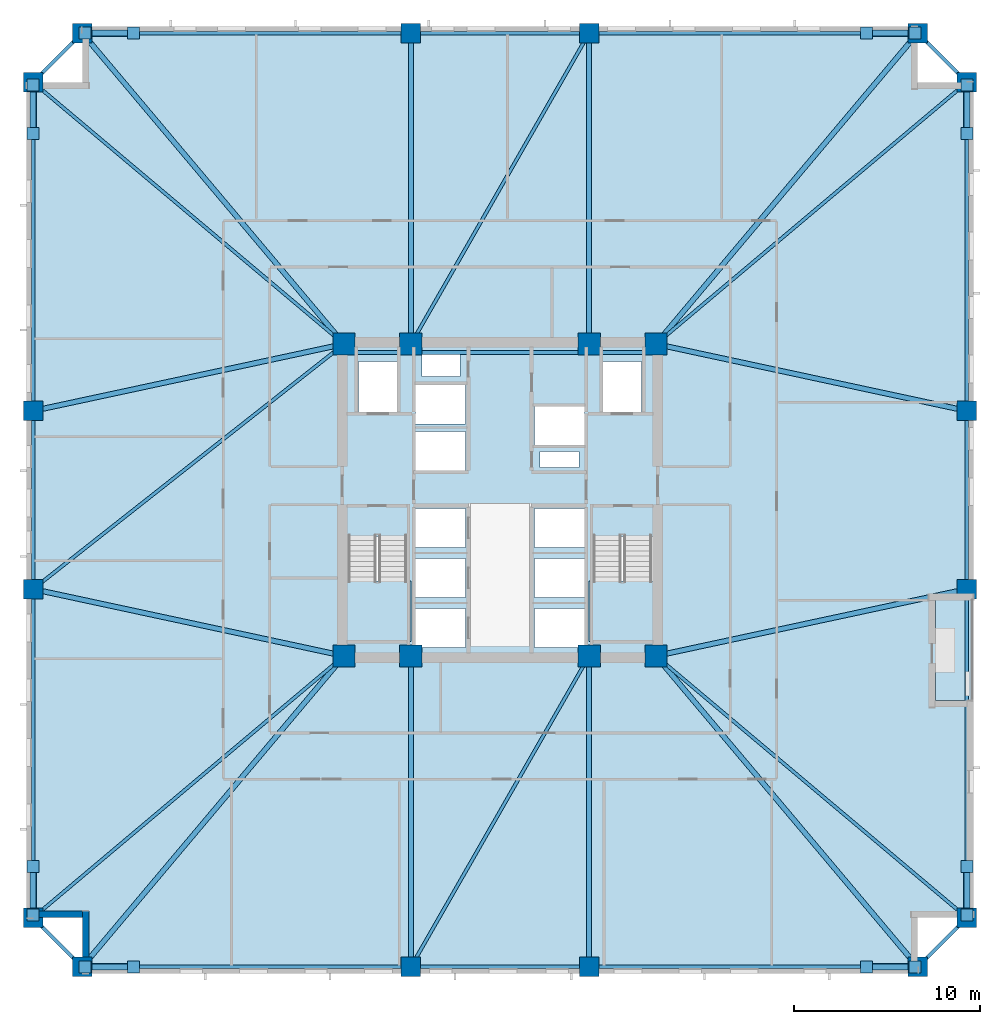
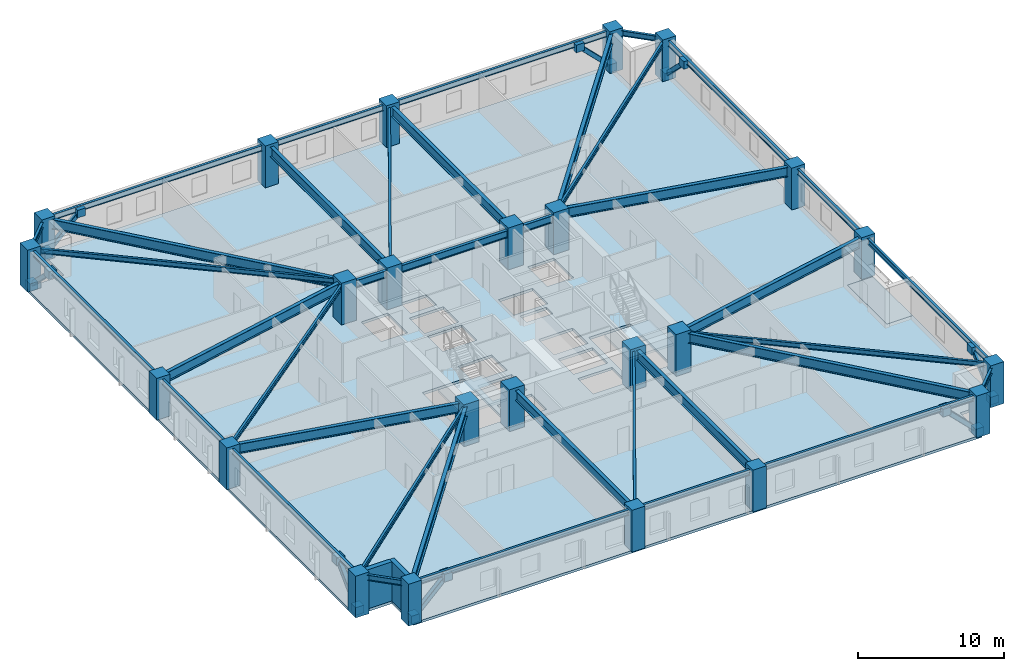
# One storey, part 1 of 11: 38 beams, 24 columns, 16 plates, 8 members, 4 slabs, 2 walls, 2 elements without a shape of their own.
"""IFC4 building model written with IfcOpenShell, lengths in metres."""

from ifc_helpers import new_model, si_unit, direction, frame, frame_2d, origin, origin_2d, place, context, subcontext, project, spatial, polyline, rectangle, hollow_rectangle, i_section, outline, extrude, material, layer, layer_set, material_profile, profile_set, type_object, element, aggregate, save


model = new_model("IFC4")

# Units and contexts
model_context = context("Model", 3, precision=1e-05, world=origin(), true_north=direction((0.0, 1.0)))
body_context = subcontext(model_context, "Body", "Model", "MODEL_VIEW")
ifc_project = project(units=[si_unit("LENGTHUNIT", "METRE"), si_unit("AREAUNIT", "SQUARE_METRE"), si_unit("VOLUMEUNIT", "CUBIC_METRE"), si_unit("PLANEANGLEUNIT", "RADIAN"), si_unit("MASSUNIT", "GRAM", prefix="KILO")], contexts=[model_context])

# Site, building, storey
site_placement = place(None, origin())
site = spatial("IfcSite", under=ifc_project, at=site_placement, CompositionType="ELEMENT")
building_placement = place(site_placement, origin())
building = spatial("IfcBuilding", under=site, at=building_placement, Name="Cairnveth Concourse Tower", CompositionType="ELEMENT")
storey_placement = place(building_placement, frame((0.0, 0.0, 62.0)))
storey = spatial("IfcBuildingStorey", under=building, at=storey_placement, Name="L16", CompositionType="ELEMENT", Elevation=62.0)

# Columns
ifc_material_1 = material(Name="Concrete N80 (80 MPa)", Category="concrete")
ifc_material_profile_1 = material_profile(ifc_material_1, rectangle(XDim=1.199951171875, YDim=1.199951171875, at=origin_2d()), Name="RC-COL-1200x1200")
ifc_profile_set_1 = profile_set([ifc_material_profile_1], Name="Concrete N80 (80 MPa)")
column_type_1 = type_object("IfcColumnType", Name="CORE COLUMN 1200X1200", PredefinedType="COLUMN", material=ifc_profile_set_1)
for number, where, z_axis, x_axis, name in (
    (1, (43.60009765625, 30.60009765625, 0.0), (0.0, 0.0, 1.0), (1.0, 0.0, 0.0), "Column CC1 L16"),
    (2, (47.199951171875, 30.60009765625, 0.0), (0.0, 0.0, 1.0), (1.0, 0.0, 0.0), "Column CC2 L16"),
    (3, (56.800048828125, 30.60009765625, 0.0), (0.0, 0.0, 1.0), (1.0, 0.0, 0.0), "Column CC3 L16"),
    (4, (60.39990234375, 30.60009765625, 0.0), (0.0, 0.0, 1.0), (1.0, 0.0, 0.0), "Column CC4 L16"),
    (5, (43.60009765625, 47.39990234375, 0.0), (0.0, 0.0, 1.0), (1.0, 0.0, 0.0), "Column CC5 L16"),
    (6, (47.199951171875, 47.39990234375, 0.0), (0.0, 0.0, 1.0), (1.0, 0.0, 0.0), "Column CC6 L16"),
    (7, (56.800048828125, 47.39990234375, 0.0), (0.0, 0.0, 1.0), (1.0, 0.0, 0.0), "Column CC7 L16"),
    (8, (60.39990234375, 47.39990234375, 0.0), (0.0, 0.0, 1.0), (1.0, 0.0, 0.0), "Column CC8 L16"),
):
    element("IfcColumn", number, at=place(storey_placement, frame(where, z_axis=z_axis, x_axis=x_axis)), inside=storey, type_object=column_type_1, Name=name, PredefinedType="COLUMN", context=body_context, shape_type="SweptSolid", body=[
        extrude(rectangle(XDim=1.199951171875, YDim=1.199951171875, at=origin_2d()), origin(), (0.0, 0.0, 1.0), 3.5),
    ])
ifc_material_2 = material(Name="Concrete N65 (65 MPa)", Category="concrete")
ifc_material_profile_2 = material_profile(ifc_material_2, rectangle(XDim=1.050048828125, YDim=1.050048828125, at=origin_2d()), Name="RC-COL-1050x1050")
ifc_profile_set_2 = profile_set([ifc_material_profile_2], Name="Concrete N65 (65 MPa)")
column_type_2 = type_object("IfcColumnType", Name="PERIMETER PIER COLUMN 1050X1050", PredefinedType="COLUMN", material=ifc_profile_set_2)
for number, where, z_axis, x_axis, name in (
    (9, (29.5, 13.85009765625, 0.0), (0.0, 0.0, 1.0), (1.0, 0.0, 0.0), "Column P-S1 L16"),
    (10, (47.199951171875, 13.85009765625, 0.0), (0.0, 0.0, 1.0), (1.0, 0.0, 0.0), "Column P-S2 L16"),
    (11, (56.800048828125, 13.85009765625, 0.0), (0.0, 0.0, 1.0), (1.0, 0.0, 0.0), "Column P-S3 L16"),
    (12, (74.5, 13.85009765625, 0.0), (0.0, 0.0, 1.0), (1.0, 0.0, 0.0), "Column P-S4 L16"),
    (13, (77.14990234375, 16.5, 0.0), (0.0, 0.0, 1.0), (0.0, 1.0, 0.0), "Column P-E1 L16"),
    (14, (77.14990234375, 34.199951171875, 0.0), (0.0, 0.0, 1.0), (0.0, 1.0, 0.0), "Column P-E2 L16"),
    (15, (77.14990234375, 43.800048828125, 0.0), (0.0, 0.0, 1.0), (0.0, 1.0, 0.0), "Column P-E3 L16"),
    (16, (77.14990234375, 61.5, 0.0), (0.0, 0.0, 1.0), (0.0, 1.0, 0.0), "Column P-E4 L16"),
    (17, (74.5, 64.14990234375, 0.0), (0.0, 0.0, 1.0), (1.0, 0.0, 0.0), "Column P-N1 L16"),
    (18, (56.800048828125, 64.14990234375, 0.0), (0.0, 0.0, 1.0), (1.0, 0.0, 0.0), "Column P-N2 L16"),
    (19, (47.199951171875, 64.14990234375, 0.0), (0.0, 0.0, 1.0), (1.0, 0.0, 0.0), "Column P-N3 L16"),
    (20, (29.5, 64.14990234375, 0.0), (0.0, 0.0, 1.0), (1.0, 0.0, 0.0), "Column P-N4 L16"),
    (21, (26.85009765625, 61.5, 0.0), (0.0, 0.0, 1.0), (0.0, 1.0, 0.0), "Column P-W1 L16"),
    (22, (26.85009765625, 43.800048828125, 0.0), (0.0, 0.0, 1.0), (0.0, 1.0, 0.0), "Column P-W2 L16"),
    (23, (26.85009765625, 34.199951171875, 0.0), (0.0, 0.0, 1.0), (0.0, 1.0, 0.0), "Column P-W3 L16"),
    (24, (26.85009765625, 16.5, 0.0), (0.0, 0.0, 1.0), (0.0, 1.0, 0.0), "Column P-W4 L16"),
):
    element("IfcColumn", number, at=place(storey_placement, frame(where, z_axis=z_axis, x_axis=x_axis)), inside=storey, type_object=column_type_2, Name=name, PredefinedType="COLUMN", context=body_context, shape_type="SweptSolid", body=[
        extrude(rectangle(XDim=1.050048828125, YDim=1.050048828125, at=origin_2d()), origin(), (0.0, 0.0, 1.0), 3.5),
    ])

# Beams
ifc_material_3 = material(Name="Steel Grade 350", Category="steel")
ifc_material_profile_3 = material_profile(ifc_material_3, i_section(OverallWidth=0.22802734375, OverallDepth=0.60693359375, WebThickness=0.01123046875, FlangeThickness=0.017333984375, FilletRadius=0.013916015625, at=origin_2d()), Name="610UB113")
ifc_profile_set_3 = profile_set([ifc_material_profile_3], Name="Steel Grade 350")
beam_type_1 = type_object("IfcBeamType", Name="CORE TIE BEAM 610UB113", PredefinedType="T_BEAM", material=ifc_profile_set_3)
for number, where, z_axis, x_axis, name in (
    (25, (43.60009765625, 46.949951171875, 2.9765625), (1.0, 0.0, 0.0), (0.0, 1.0, 0.0), "Beam CT-N1 L16"),
    (26, (56.800048828125, 46.949951171875, 2.9765625), (1.0, 0.0, 0.0), (0.0, 1.0, 0.0), "Beam CT-N3 L16"),
):
    element("IfcBeam", number, at=place(storey_placement, frame(where, z_axis=z_axis, x_axis=x_axis)), inside=storey, type_object=beam_type_1, Name=name, PredefinedType="T_BEAM", context=body_context, shape_type="SweptSolid", body=[
        extrude(i_section(OverallWidth=0.22802734375, OverallDepth=0.60693359375, WebThickness=0.01123046875, FlangeThickness=0.017333984375, FilletRadius=0.013916015625, at=origin_2d()), origin(), (0.0, 0.0, 1.0), 3.599853515625),
    ])
beam_1_placement = place(storey_placement, frame((47.199951171875, 46.949951171875, 2.9765625), z_axis=(1.0, 0.0, 0.0), x_axis=(0.0, 1.0, 0.0)))
element("IfcBeam", 27, at=beam_1_placement, inside=storey, type_object=beam_type_1, Name="Beam CT-N2 L16", PredefinedType="T_BEAM", context=body_context, shape_type="SweptSolid", body=[
    extrude(i_section(OverallWidth=0.22802734375, OverallDepth=0.60693359375, WebThickness=0.01123046875, FlangeThickness=0.017333984375, FilletRadius=0.013916015625, at=origin_2d()), origin(), (0.0, 0.0, 1.0), 9.60009765625),
])
ifc_material_profile_4 = material_profile(ifc_material_3, i_section(OverallWidth=0.177978515625, OverallDepth=0.406005859375, WebThickness=0.0078125, FlangeThickness=0.0126953125, FilletRadius=0.010986328125, at=origin_2d()), Name="410UB59.7")
ifc_profile_set_4 = profile_set([ifc_material_profile_4], Name="Steel Grade 350")
beam_type_2 = type_object("IfcBeamType", Name="ZONE 1 FLOOR JOIST 410UB59.7", PredefinedType="JOIST", material=ifc_profile_set_4)
for number, where, z_axis, x_axis, name in (
    (28, (26.85009765625, 16.5, 3.076904296875), (0.765027427674, 0.643997697905, 0.0), (-0.643997697905, 0.765027427674, 0.0), "Beam FJ-CSW2 L16"),
    (29, (77.14990234375, 16.5, 3.076904296875), (-0.765027427674, 0.643997697905, 0.0), (-0.643997697905, -0.765027427674, 0.0), "Beam FJ-CSE2 L16"),
    (30, (77.14990234375, 61.5, 3.076904296875), (-0.765027427674, -0.643997697905, 0.0), (0.643997697905, -0.765027427674, 0.0), "Beam FJ-CNE2 L16"),
    (31, (26.85009765625, 61.5, 3.076904296875), (0.765027427674, -0.643997697905, 0.0), (0.643997697905, 0.765027427674, 0.0), "Beam FJ-CNW2 L16"),
):
    element("IfcBeam", number, at=place(storey_placement, frame(where, z_axis=z_axis, x_axis=x_axis)), inside=storey, type_object=beam_type_2, Name=name, PredefinedType="JOIST", context=body_context, shape_type="SweptSolid", body=[
        extrude(i_section(OverallWidth=0.177978515625, OverallDepth=0.406005859375, WebThickness=0.0078125, FlangeThickness=0.0126953125, FilletRadius=0.010986328125, at=origin_2d()), origin(), (0.0, 0.0, 1.0), 21.89453125),
    ])
for number, where, z_axis, x_axis, name in (
    (32, (47.199951171875, 13.85009765625, 3.076904296875), (0.497257970706, 0.86760273776, 0.0), (-0.86760273776, 0.497257970706, 0.0), "Beam FJ-S-M1 L16"),
    (33, (47.199951171875, 47.39990234375, 3.076904296875), (0.497257970706, 0.86760273776, 0.0), (-0.86760273776, 0.497257970706, 0.0), "Beam FJ-N-M1 L16"),
):
    element("IfcBeam", number, at=place(storey_placement, frame(where, z_axis=z_axis, x_axis=x_axis)), inside=storey, type_object=beam_type_2, Name=name, PredefinedType="JOIST", context=body_context, shape_type="SweptSolid", body=[
        extrude(i_section(OverallWidth=0.177978515625, OverallDepth=0.406005859375, WebThickness=0.0078125, FlangeThickness=0.0126953125, FilletRadius=0.010986328125, at=origin_2d()), origin(), (0.0, 0.0, 1.0), 19.30615234375),
    ])
beam_2_placement = place(storey_placement, frame((26.85009765625, 34.199951171875, 3.076904296875), z_axis=(0.785423705995, 0.618958481694, 0.0), x_axis=(-0.618958481694, 0.785423705995, 0.0)))
element("IfcBeam", 34, at=beam_2_placement, inside=storey, type_object=beam_type_2, Name="Beam FJ-W-M1 L16", PredefinedType="JOIST", context=body_context, shape_type="SweptSolid", body=[
    extrude(i_section(OverallWidth=0.177978515625, OverallDepth=0.406005859375, WebThickness=0.0078125, FlangeThickness=0.0126953125, FilletRadius=0.010986328125, at=origin_2d()), origin(), (0.0, 0.0, 1.0), 21.326171875),
])

# Members
ifc_material_4 = material(Name="Steel C350L0 (350 MPa)", Category="steel")
ifc_material_profile_5 = material_profile(ifc_material_4, hollow_rectangle(XDim=0.35009765625, YDim=0.35009765625, WallThickness=0.01611328125, InnerFilletRadius=0.01611328125, OuterFilletRadius=0.031982421875, at=origin_2d()), Name="350x350x16.0SHS")
ifc_profile_set_5 = profile_set([ifc_material_profile_5], Name="Steel C350L0 (350 MPa)")
member_type = type_object("IfcMemberType", Name="ZONE 1 PIER BRACE 350X350X16SHS", PredefinedType="BRACE", material=ifc_profile_set_5)
for number, where, z_axis, x_axis, name in (
    (35, (29.64990234375, 13.85009765625, 0.25), (0.709834195787, 0.0, 0.704368805735), (0.0, 1.0, 0.0), "Structural Brace PB-S1 L16"),
    (36, (74.35009765625, 13.85009765625, 0.25), (-0.709834195787, 0.0, 0.704368805735), (0.0, -1.0, 0.0), "Structural Brace PB-S2 L16"),
    (37, (29.64990234375, 64.14990234375, 0.25), (0.709834195787, 0.0, 0.704368805735), (0.0, 1.0, 0.0), "Structural Brace PB-N1 L16"),
    (38, (74.35009765625, 64.14990234375, 0.25), (-0.709834195787, 0.0, 0.704368805735), (0.0, -1.0, 0.0), "Structural Brace PB-N2 L16"),
    (39, (26.85009765625, 16.64990234375, 0.25), (0.0, 0.709834195787, 0.704368805735), (-1.0, 0.0, 0.0), "Structural Brace PB-W1 L16"),
    (40, (26.85009765625, 61.35009765625, 0.25), (0.0, -0.709834195787, 0.704368805735), (1.0, 0.0, 0.0), "Structural Brace PB-W2 L16"),
    (41, (77.14990234375, 16.64990234375, 0.25), (0.0, 0.709834195787, 0.704368805735), (-1.0, 0.0, 0.0), "Structural Brace PB-E1 L16"),
    (42, (77.14990234375, 61.35009765625, 0.25), (0.0, -0.709834195787, 0.704368805735), (1.0, 0.0, 0.0), "Structural Brace PB-E2 L16"),
):
    element("IfcMember", number, at=place(storey_placement, frame(where, z_axis=z_axis, x_axis=x_axis)), inside=storey, type_object=member_type, Name=name, PredefinedType="BRACE", context=body_context, shape_type="SweptSolid", body=[
        extrude(hollow_rectangle(XDim=0.35009765625, YDim=0.35009765625, WallThickness=0.01611328125, InnerFilletRadius=0.01611328125, OuterFilletRadius=0.031982421875, at=origin_2d()), origin(), (0.0, 0.0, 1.0), 3.6630859375),
    ])

# Beams
ifc_material_profile_6 = material_profile(ifc_material_3, i_section(OverallWidth=0.27490234375, OverallDepth=0.81591796875, WebThickness=0.011962890625, FlangeThickness=0.028076171875, at=origin_2d()), Name="800WB192")
ifc_profile_set_6 = profile_set([ifc_material_profile_6], Name="Steel Grade 350")
beam_type_3 = type_object("IfcBeamType", Name="ZONE 1 RADIAL GIRDER 800WB192", PredefinedType="BEAM", material=ifc_profile_set_6)
for number, where, z_axis, x_axis, name in (
    (43, (47.199951171875, 13.85009765625, 2.8720703125), (0.0, 1.0, 0.0), (-1.0, 0.0, 0.0), "Beam RG-S1 L16"),
    (44, (56.800048828125, 13.85009765625, 2.8720703125), (0.0, 1.0, 0.0), (-1.0, 0.0, 0.0), "Beam RG-S2 L16"),
    (45, (47.199951171875, 47.39990234375, 2.8720703125), (0.0, 1.0, 0.0), (-1.0, 0.0, 0.0), "Beam RG-N1 L16"),
    (46, (56.800048828125, 47.39990234375, 2.8720703125), (0.0, 1.0, 0.0), (-1.0, 0.0, 0.0), "Beam RG-N2 L16"),
):
    element("IfcBeam", number, at=place(storey_placement, frame(where, z_axis=z_axis, x_axis=x_axis)), inside=storey, type_object=beam_type_3, Name=name, PredefinedType="BEAM", context=body_context, shape_type="SweptSolid", body=[
        extrude(i_section(OverallWidth=0.27490234375, OverallDepth=0.81591796875, WebThickness=0.011962890625, FlangeThickness=0.028076171875, at=origin_2d()), origin(), (0.0, 0.0, 1.0), 16.75),
    ])
for number, where, z_axis, x_axis, name in (
    (47, (26.85009765625, 34.199951171875, 2.8720703125), (0.977675861524, -0.210118799239, 0.0), (0.210118799239, 0.977675861524, 0.0), "Beam RG-W1 L16"),
    (48, (26.85009765625, 43.800048828125, 2.8720703125), (0.977675861524, 0.210118799239, 0.0), (-0.210118799239, 0.977675861524, 0.0), "Beam RG-W2 L16"),
    (49, (60.39990234375, 30.60009765625, 2.8720703125), (0.977675861524, 0.210118799239, 0.0), (-0.210118799239, 0.977675861524, 0.0), "Beam RG-E1 L16"),
    (50, (60.39990234375, 47.39990234375, 2.8720703125), (0.977675861524, -0.210118799239, 0.0), (0.210118799239, 0.977675861524, 0.0), "Beam RG-E2 L16"),
):
    element("IfcBeam", number, at=place(storey_placement, frame(where, z_axis=z_axis, x_axis=x_axis)), inside=storey, type_object=beam_type_3, Name=name, PredefinedType="BEAM", context=body_context, shape_type="SweptSolid", body=[
        extrude(i_section(OverallWidth=0.27490234375, OverallDepth=0.81591796875, WebThickness=0.011962890625, FlangeThickness=0.028076171875, at=origin_2d()), origin(), (0.0, 0.0, 1.0), 17.132568359375),
    ])
for number, where, z_axis, x_axis, name in (
    (51, (29.5, 13.85009765625, 2.8720703125), (0.643997697905, 0.765027427674, 0.0), (-0.765027427674, 0.643997697905, 0.0), "Beam RG-CSW L16"),
    (52, (74.5, 13.85009765625, 2.8720703125), (-0.643997697905, 0.765027427674, 0.0), (-0.765027427674, -0.643997697905, 0.0), "Beam RG-CSE L16"),
    (53, (74.5, 64.14990234375, 2.8720703125), (-0.643997697905, -0.765027427674, 0.0), (0.765027427674, -0.643997697905, 0.0), "Beam RG-CNE L16"),
    (54, (29.5, 64.14990234375, 2.8720703125), (0.643997697905, -0.765027427674, 0.0), (0.765027427674, 0.643997697905, 0.0), "Beam RG-CNW L16"),
):
    element("IfcBeam", number, at=place(storey_placement, frame(where, z_axis=z_axis, x_axis=x_axis)), inside=storey, type_object=beam_type_3, Name=name, PredefinedType="BEAM", context=body_context, shape_type="SweptSolid", body=[
        extrude(i_section(OverallWidth=0.27490234375, OverallDepth=0.81591796875, WebThickness=0.011962890625, FlangeThickness=0.028076171875, at=origin_2d()), origin(), (0.0, 0.0, 1.0), 21.89453125),
    ])
ifc_material_profile_7 = material_profile(ifc_material_3, i_section(OverallWidth=0.19091796875, OverallDepth=0.4599609375, WebThickness=0.010009765625, FlangeThickness=0.01611328125, FilletRadius=0.010986328125, at=origin_2d()), Name="460UB82.1")
ifc_profile_set_7 = profile_set([ifc_material_profile_7], Name="Steel Grade 350")
beam_type_4 = type_object("IfcBeamType", Name="ZONE 1 SPANDREL BEAM 460UB82.1", PredefinedType="SPANDREL", material=ifc_profile_set_7)
beam_3_placement = place(storey_placement, frame((29.5, 13.85009765625, 3.050048828125), z_axis=(1.0, 0.0, 0.0), x_axis=(0.0, 1.0, 0.0)))
element("IfcBeam", 55, at=beam_3_placement, inside=storey, type_object=beam_type_4, Name="Beam SP-S1 L16", PredefinedType="SPANDREL", context=body_context, shape_type="SweptSolid", body=[
    extrude(i_section(OverallWidth=0.19091796875, OverallDepth=0.4599609375, WebThickness=0.010009765625, FlangeThickness=0.01611328125, FilletRadius=0.010986328125, at=origin_2d()), origin(), (0.0, 0.0, 1.0), 17.699951171875),
])
beam_4_placement = place(storey_placement, frame((47.199951171875, 13.85009765625, 3.050048828125), z_axis=(1.0, 0.0, 0.0), x_axis=(0.0, 1.0, 0.0)))
element("IfcBeam", 56, at=beam_4_placement, inside=storey, type_object=beam_type_4, Name="Beam SP-S2 L16", PredefinedType="SPANDREL", context=body_context, shape_type="SweptSolid", body=[
    extrude(i_section(OverallWidth=0.19091796875, OverallDepth=0.4599609375, WebThickness=0.010009765625, FlangeThickness=0.01611328125, FilletRadius=0.010986328125, at=origin_2d()), origin(), (0.0, 0.0, 1.0), 9.60009765625),
])
for number, where, z_axis, x_axis, name in (
    (57, (56.800048828125, 13.85009765625, 3.050048828125), (1.0, 0.0, 0.0), (0.0, 1.0, 0.0), "Beam SP-S3 L16"),
    (58, (29.5, 64.14990234375, 3.050048828125), (1.0, 0.0, 0.0), (0.0, 1.0, 0.0), "Beam SP-N1 L16"),
):
    element("IfcBeam", number, at=place(storey_placement, frame(where, z_axis=z_axis, x_axis=x_axis)), inside=storey, type_object=beam_type_4, Name=name, PredefinedType="SPANDREL", context=body_context, shape_type="SweptSolid", body=[
        extrude(i_section(OverallWidth=0.19091796875, OverallDepth=0.4599609375, WebThickness=0.010009765625, FlangeThickness=0.01611328125, FilletRadius=0.010986328125, at=origin_2d()), origin(), (0.0, 0.0, 1.0), 17.699951171875),
    ])
beam_5_placement = place(storey_placement, frame((47.199951171875, 64.14990234375, 3.050048828125), z_axis=(1.0, 0.0, 0.0), x_axis=(0.0, 1.0, 0.0)))
element("IfcBeam", 59, at=beam_5_placement, inside=storey, type_object=beam_type_4, Name="Beam SP-N2 L16", PredefinedType="SPANDREL", context=body_context, shape_type="SweptSolid", body=[
    extrude(i_section(OverallWidth=0.19091796875, OverallDepth=0.4599609375, WebThickness=0.010009765625, FlangeThickness=0.01611328125, FilletRadius=0.010986328125, at=origin_2d()), origin(), (0.0, 0.0, 1.0), 9.60009765625),
])
for number, where, z_axis, x_axis, name in (
    (60, (56.800048828125, 64.14990234375, 3.050048828125), (1.0, 0.0, 0.0), (0.0, 1.0, 0.0), "Beam SP-N3 L16"),
    (61, (26.85009765625, 16.5, 3.050048828125), (0.0, 1.0, 0.0), (-1.0, 0.0, 0.0), "Beam SP-W1 L16"),
):
    element("IfcBeam", number, at=place(storey_placement, frame(where, z_axis=z_axis, x_axis=x_axis)), inside=storey, type_object=beam_type_4, Name=name, PredefinedType="SPANDREL", context=body_context, shape_type="SweptSolid", body=[
        extrude(i_section(OverallWidth=0.19091796875, OverallDepth=0.4599609375, WebThickness=0.010009765625, FlangeThickness=0.01611328125, FilletRadius=0.010986328125, at=origin_2d()), origin(), (0.0, 0.0, 1.0), 17.699951171875),
    ])
beam_6_placement = place(storey_placement, frame((26.85009765625, 34.199951171875, 3.050048828125), z_axis=(0.0, 1.0, 0.0), x_axis=(-1.0, 0.0, 0.0)))
element("IfcBeam", 62, at=beam_6_placement, inside=storey, type_object=beam_type_4, Name="Beam SP-W2 L16", PredefinedType="SPANDREL", context=body_context, shape_type="SweptSolid", body=[
    extrude(i_section(OverallWidth=0.19091796875, OverallDepth=0.4599609375, WebThickness=0.010009765625, FlangeThickness=0.01611328125, FilletRadius=0.010986328125, at=origin_2d()), origin(), (0.0, 0.0, 1.0), 9.60009765625),
])
for number, where, z_axis, x_axis, name in (
    (63, (26.85009765625, 43.800048828125, 3.050048828125), (0.0, 1.0, 0.0), (-1.0, 0.0, 0.0), "Beam SP-W3 L16"),
    (64, (77.14990234375, 16.5, 3.050048828125), (0.0, 1.0, 0.0), (-1.0, 0.0, 0.0), "Beam SP-E1 L16"),
):
    element("IfcBeam", number, at=place(storey_placement, frame(where, z_axis=z_axis, x_axis=x_axis)), inside=storey, type_object=beam_type_4, Name=name, PredefinedType="SPANDREL", context=body_context, shape_type="SweptSolid", body=[
        extrude(i_section(OverallWidth=0.19091796875, OverallDepth=0.4599609375, WebThickness=0.010009765625, FlangeThickness=0.01611328125, FilletRadius=0.010986328125, at=origin_2d()), origin(), (0.0, 0.0, 1.0), 17.699951171875),
    ])
beam_7_placement = place(storey_placement, frame((77.14990234375, 34.199951171875, 3.050048828125), z_axis=(0.0, 1.0, 0.0), x_axis=(-1.0, 0.0, 0.0)))
element("IfcBeam", 65, at=beam_7_placement, inside=storey, type_object=beam_type_4, Name="Beam SP-E2 L16", PredefinedType="SPANDREL", context=body_context, shape_type="SweptSolid", body=[
    extrude(i_section(OverallWidth=0.19091796875, OverallDepth=0.4599609375, WebThickness=0.010009765625, FlangeThickness=0.01611328125, FilletRadius=0.010986328125, at=origin_2d()), origin(), (0.0, 0.0, 1.0), 9.60009765625),
])
beam_8_placement = place(storey_placement, frame((77.14990234375, 43.800048828125, 3.050048828125), z_axis=(0.0, 1.0, 0.0), x_axis=(-1.0, 0.0, 0.0)))
element("IfcBeam", 66, at=beam_8_placement, inside=storey, type_object=beam_type_4, Name="Beam SP-E3 L16", PredefinedType="SPANDREL", context=body_context, shape_type="SweptSolid", body=[
    extrude(i_section(OverallWidth=0.19091796875, OverallDepth=0.4599609375, WebThickness=0.010009765625, FlangeThickness=0.01611328125, FilletRadius=0.010986328125, at=origin_2d()), origin(), (0.0, 0.0, 1.0), 17.699951171875),
])
for number, where, z_axis, x_axis, name in (
    (67, (26.85009765625, 16.5, 3.050048828125), (0.707106781187, -0.707106781187, 0.0), (0.707106781187, 0.707106781187, 0.0), "Beam SP-SW L16"),
    (68, (74.5, 13.85009765625, 3.050048828125), (0.707106781187, 0.707106781187, 0.0), (-0.707106781187, 0.707106781187, 0.0), "Beam SP-SE L16"),
    (69, (74.5, 64.14990234375, 3.050048828125), (0.707106781187, -0.707106781187, 0.0), (0.707106781187, 0.707106781187, 0.0), "Beam SP-NE L16"),
    (70, (26.85009765625, 61.5, 3.050048828125), (0.707106781187, 0.707106781187, 0.0), (-0.707106781187, 0.707106781187, 0.0), "Beam SP-NW L16"),
):
    element("IfcBeam", number, at=place(storey_placement, frame(where, z_axis=z_axis, x_axis=x_axis)), inside=storey, type_object=beam_type_4, Name=name, PredefinedType="SPANDREL", context=body_context, shape_type="SweptSolid", body=[
        extrude(i_section(OverallWidth=0.19091796875, OverallDepth=0.4599609375, WebThickness=0.010009765625, FlangeThickness=0.01611328125, FilletRadius=0.010986328125, at=origin_2d()), origin(), (0.0, 0.0, 1.0), 3.74755859375),
    ])

# Slab
ifc_material_5 = material(Name="Concrete N50 (50 MPa)", Category="concrete")
ifc_layer_1 = layer(ifc_material_5, 0.219970703125)
ifc_layer_set_1 = layer_set([ifc_layer_1], Name="Concrete N50 (50 MPa)")
slab_type_1 = type_object("IfcSlabType", Name="LOWER TOWER COMPOSITE SLAB 220", PredefinedType="FLOOR", material=ifc_layer_set_1)
slab_1_placement = place(storey_placement, frame((0.0, 0.0, -0.219970703125)))
element("IfcSlab", 71, at=slab_1_placement, inside=storey, type_object=slab_type_1, Name="Tower Floor Slab L16", PredefinedType="FLOOR", context=body_context, shape_type="SweptSolid", body=[
    extrude(outline(polyline([(77.5, 28.199951171875), (75.449951171875, 28.199951171875), (75.449951171875, 33.60009765625), (77.5, 33.60009765625), (77.5, 61.5), (74.5, 61.5), (74.5, 64.5), (29.5, 64.5), (29.5, 61.5), (26.5, 61.5), (26.5, 16.5), (29.5, 16.5), (29.5, 13.5), (74.5, 13.5), (74.5, 16.5), (77.5, 16.5), (77.5, 28.199951171875)]), holes=[polyline([(43.760009765625, 31.360107421875), (47.06005859375, 31.360107421875), (47.06005859375, 37.0400390625), (43.760009765625, 37.0400390625), (43.760009765625, 31.360107421875)]), polyline([(56.93994140625, 31.360107421875), (60.239990234375, 31.360107421875), (60.239990234375, 37.0400390625), (56.93994140625, 37.0400390625), (56.93994140625, 31.360107421875)]), polyline([(44.3701171875, 43.75), (46.469970703125, 43.75), (46.469970703125, 46.449951171875), (44.3701171875, 46.449951171875), (44.3701171875, 43.75)]), polyline([(57.530029296875, 43.75), (59.6298828125, 43.75), (59.6298828125, 46.449951171875), (57.530029296875, 46.449951171875), (57.530029296875, 43.75)]), polyline([(47.449951171875, 31.050048828125), (50.14990234375, 31.050048828125), (50.14990234375, 33.14990234375), (47.449951171875, 33.14990234375), (47.449951171875, 31.050048828125)]), polyline([(47.449951171875, 33.75), (50.14990234375, 33.75), (50.14990234375, 35.85009765625), (47.449951171875, 35.85009765625), (47.449951171875, 33.75)]), polyline([(47.449951171875, 36.449951171875), (50.14990234375, 36.449951171875), (50.14990234375, 38.550048828125), (47.449951171875, 38.550048828125), (47.449951171875, 36.449951171875)]), polyline([(53.85009765625, 31.050048828125), (56.550048828125, 31.050048828125), (56.550048828125, 33.14990234375), (53.85009765625, 33.14990234375), (53.85009765625, 31.050048828125)]), polyline([(53.85009765625, 33.75), (56.550048828125, 33.75), (56.550048828125, 35.85009765625), (53.85009765625, 35.85009765625), (53.85009765625, 33.75)]), polyline([(53.85009765625, 36.449951171875), (56.550048828125, 36.449951171875), (56.550048828125, 38.550048828125), (53.85009765625, 38.550048828125), (53.85009765625, 36.449951171875)]), polyline([(47.449951171875, 40.60009765625), (50.14990234375, 40.60009765625), (50.14990234375, 42.699951171875), (47.449951171875, 42.699951171875), (47.449951171875, 40.60009765625)]), polyline([(47.449951171875, 43.10009765625), (50.14990234375, 43.10009765625), (50.14990234375, 45.199951171875), (47.449951171875, 45.199951171875), (47.449951171875, 43.10009765625)]), polyline([(53.85009765625, 41.949951171875), (56.550048828125, 41.949951171875), (56.550048828125, 44.050048828125), (53.85009765625, 44.050048828125), (53.85009765625, 41.949951171875)]), polyline([(47.800048828125, 45.64990234375), (49.85009765625, 45.64990234375), (49.85009765625, 47.050048828125), (47.800048828125, 47.050048828125), (47.800048828125, 45.64990234375)]), polyline([(54.14990234375, 40.75), (56.25, 40.75), (56.25, 41.6201171875), (54.14990234375, 41.6201171875), (54.14990234375, 40.75)])]), origin(), (0.0, 0.0, 1.0), 0.219970703125),
])

# Plates
ifc_layer_2 = layer(ifc_material_3, 0.031982421875)
ifc_layer_set_2 = layer_set([ifc_layer_2], Name="Steel Grade 350")
plate_type = type_object("IfcPlateType", Name="PERIMETER BRACE GUSSET PLATE 32", PredefinedType="USERDEFINED", material=ifc_layer_set_2)
for number, where, z_axis, x_axis, name in (
    (72, (29.64990234375, 13.85009765625, -0.06982421875), (0.0, 0.0, 1.0), (1.0, 0.0, 0.0), "Structural Node Plate 0237 L16"),
    (73, (32.25, 13.85009765625, 2.51025390625), (0.0, 0.0, 1.0), (1.0, 0.0, 0.0), "Structural Node Plate 0238 L16"),
    (74, (74.35009765625, 13.85009765625, -0.06982421875), (0.0, 0.0, 1.0), (1.0, 0.0, 0.0), "Structural Node Plate 0239 L16"),
    (75, (71.75, 13.85009765625, 2.51025390625), (0.0, 0.0, 1.0), (1.0, 0.0, 0.0), "Structural Node Plate 0240 L16"),
    (76, (29.64990234375, 64.14990234375, -0.06982421875), (0.0, 0.0, 1.0), (1.0, 0.0, 0.0), "Structural Node Plate 0241 L16"),
    (77, (32.25, 64.14990234375, 2.51025390625), (0.0, 0.0, 1.0), (1.0, 0.0, 0.0), "Structural Node Plate 0242 L16"),
    (78, (74.35009765625, 64.14990234375, -0.06982421875), (0.0, 0.0, 1.0), (1.0, 0.0, 0.0), "Structural Node Plate 0243 L16"),
    (79, (71.75, 64.14990234375, 2.51025390625), (0.0, 0.0, 1.0), (1.0, 0.0, 0.0), "Structural Node Plate 0244 L16"),
    (80, (26.85009765625, 16.64990234375, -0.06982421875), (0.0, 0.0, 1.0), (1.0, 0.0, 0.0), "Structural Node Plate 0245 L16"),
    (81, (26.85009765625, 19.25, 2.51025390625), (0.0, 0.0, 1.0), (1.0, 0.0, 0.0), "Structural Node Plate 0246 L16"),
    (82, (26.85009765625, 61.35009765625, -0.06982421875), (0.0, 0.0, 1.0), (1.0, 0.0, 0.0), "Structural Node Plate 0247 L16"),
    (83, (26.85009765625, 58.75, 2.51025390625), (0.0, 0.0, 1.0), (1.0, 0.0, 0.0), "Structural Node Plate 0248 L16"),
    (84, (77.14990234375, 16.64990234375, -0.06982421875), (0.0, 0.0, 1.0), (1.0, 0.0, 0.0), "Structural Node Plate 0249 L16"),
    (85, (77.14990234375, 19.25, 2.51025390625), (0.0, 0.0, 1.0), (1.0, 0.0, 0.0), "Structural Node Plate 0250 L16"),
    (86, (77.14990234375, 61.35009765625, -0.06982421875), (0.0, 0.0, 1.0), (1.0, 0.0, 0.0), "Structural Node Plate 0251 L16"),
    (87, (77.14990234375, 58.75, 2.51025390625), (0.0, 0.0, 1.0), (1.0, 0.0, 0.0), "Structural Node Plate 0252 L16"),
):
    element("IfcPlate", number, at=place(storey_placement, frame(where, z_axis=z_axis, x_axis=x_axis)), inside=storey, type_object=plate_type, Name=name, ObjectType="GUSSET PLATE", PredefinedType="USERDEFINED", context=body_context, shape_type="SweptSolid", body=[
        extrude(rectangle(XDim=0.639892578125, YDim=0.639892578125, at=origin_2d()), origin(), (0.0, 0.0, 1.0), 0.639892578125),
    ])

# Slab
ifc_layer_3 = layer(ifc_material_5, 0.18994140625)
ifc_layer_set_3 = layer_set([ifc_layer_3], Name="Concrete N50 (50 MPa)")
slab_type_2 = type_object("IfcSlabType", Name="SPIRAL OUTDOOR TERRACE SLAB 190", PredefinedType="FLOOR", material=ifc_layer_set_3)
slab_2_placement = place(storey_placement, frame((0.0, 0.0, -0.18994140625)))
element("IfcSlab", 88, at=slab_2_placement, inside=storey, type_object=slab_type_2, Name="Spiral Terrace Slab L16", PredefinedType="FLOOR", context=body_context, shape_type="SweptSolid", body=[
    extrude(outline(polyline([(75.449951171875, 28.199951171875), (77.5, 28.199951171875), (77.5, 33.60009765625), (75.449951171875, 33.60009765625), (75.449951171875, 28.199951171875)])), origin(), (0.0, 0.0, 1.0), 0.18994140625),
])

# Stair, slab
ifc_material_6 = material(Name="Precast concrete N50 (50 MPa)", Category="concrete")
stair_type = type_object("IfcStairType", Name="CORE DOG-LEG FIRE STAIR 1500", PredefinedType="HALF_TURN_STAIR", material=ifc_material_6)
stair_1_placement = place(storey_placement, origin())
stair_1 = element("IfcStair", 89, at=stair_1_placement, inside=storey, type_object=stair_type, Name="L16 Fire-Isolated Stair ST-1", PredefinedType="HALF_TURN_STAIR")
ifc_layer_4 = layer(ifc_material_5, 0.199951171875)
ifc_layer_set_4 = layer_set([ifc_layer_4], Name="Concrete N50 (50 MPa)")
slab_type_3 = type_object("IfcSlabType", Name="STAIR HALF LANDING SLAB 200", PredefinedType="LANDING", material=ifc_layer_set_4)
slab_3_placement = place(storey_placement, frame((0.0, 0.0, 1.550048828125)))
slab_3 = element("IfcSlab", 90, at=slab_3_placement, type_object=slab_type_3, Name="ST-1 landing 1", PredefinedType="LANDING", context=body_context, shape_type="SweptSolid", body=[
    extrude(outline(polyline([(43.6201171875, 34.639892578125), (43.6201171875, 31.3701171875), (47.199951171875, 31.3701171875), (47.199951171875, 34.639892578125), (43.6201171875, 34.639892578125)])), origin(), (0.0, 0.0, 1.0), 0.199951171875),
])
aggregate(stair_1, [slab_3])

stair_2_placement = place(storey_placement, origin())
stair_2 = element("IfcStair", 91, at=stair_2_placement, inside=storey, type_object=stair_type, Name="L16 Fire-Isolated Stair ST-2", PredefinedType="HALF_TURN_STAIR")
slab_4_placement = place(storey_placement, frame((0.0, 0.0, 1.550048828125)))
slab_4 = element("IfcSlab", 92, at=slab_4_placement, type_object=slab_type_3, Name="ST-2 landing 1", PredefinedType="LANDING", context=body_context, shape_type="SweptSolid", body=[
    extrude(outline(polyline([(56.800048828125, 34.639892578125), (56.800048828125, 31.3701171875), (60.3798828125, 31.3701171875), (60.3798828125, 34.639892578125), (56.800048828125, 34.639892578125)])), origin(), (0.0, 0.0, 1.0), 0.199951171875),
])
aggregate(stair_2, [slab_4])

# Walls
ifc_material_7 = material(Name="Hawthorn Red-Ochre Fired Clay Brick Masonry", Category="masonry")
ifc_layer_5 = layer(ifc_material_7, 0.360107421875)
ifc_layer_set_5 = layer_set([ifc_layer_5], Name="Hawthorn Red-Ochre Fired Clay Brick Masonry")
wall_type = type_object("IfcWallType", Name="ZONE 1 BRICK PIER SPANDREL WALL 360", PredefinedType="SOLIDWALL", material=ifc_layer_set_5)
wall_1_placement = place(storey_placement, frame((29.679931640625, 13.5, 0.0), z_axis=(0.0, 0.0, 1.0), x_axis=(0.0, 1.0, 0.0)))
element("IfcWall", 93, at=wall_1_placement, inside=storey, type_object=wall_type, Name="Exterior Wall EW-L16-S04", PredefinedType="SOLIDWALL", context=body_context, shape_type="SweptSolid", body=[
    extrude(rectangle(XDim=3.360107421875, YDim=0.360107421875, at=frame_2d((1.68017578125, 0.0))), origin(), (0.0, 0.0, 1.0), 3.280029296875),
])
wall_2_placement = place(storey_placement, frame((29.52197265625, 16.679931640625, 0.0), z_axis=(0.0, 0.0, 1.0), x_axis=(-1.0, 0.0, 0.0)))
element("IfcWall", 94, at=wall_2_placement, inside=storey, type_object=wall_type, Name="Exterior Wall EW-L16-S05", PredefinedType="SOLIDWALL", context=body_context, shape_type="SweptSolid", body=[
    extrude(rectangle(XDim=2.68408203125, YDim=0.360107421875, at=frame_2d((1.342041015625, 0.0))), origin(), (0.0, 0.0, 1.0), 3.280029296875),
])

save(model, "model.ifc")
